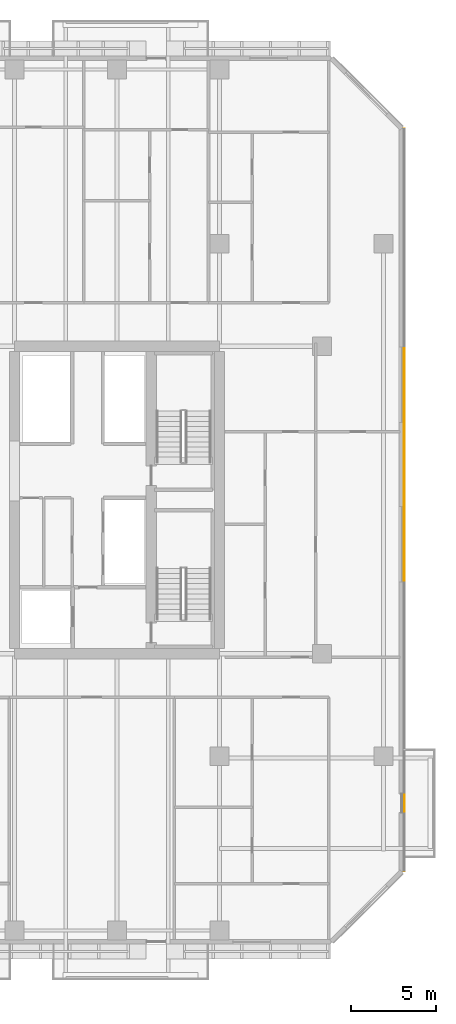
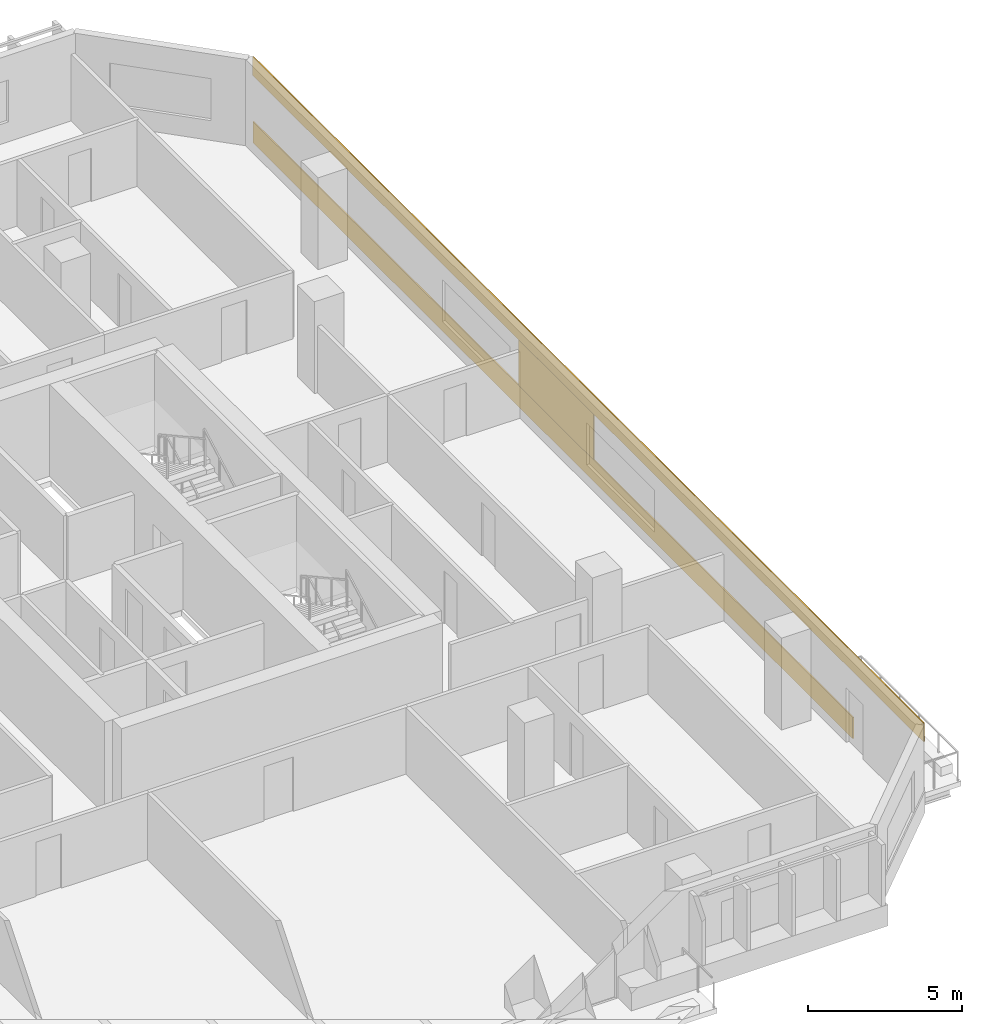
# One storey, part 25 of 26: 3 coverings.
"""IFC4 building model written with IfcOpenShell, lengths in metres."""

from ifc_helpers import new_model, si_unit, direction, frame, origin, origin_2d, place, context, subcontext, project, spatial, rectangle, extrude, material, layer, layer_set, type_object, element, save


model = new_model("IFC4")

# Units and contexts
model_context = context("Model", 3, precision=1e-05, world=origin(), true_north=direction((0.0, 1.0)))
body_context = subcontext(model_context, "Body", "Model", "MODEL_VIEW")
ifc_project = project(units=[si_unit("LENGTHUNIT", "METRE"), si_unit("AREAUNIT", "SQUARE_METRE"), si_unit("VOLUMEUNIT", "CUBIC_METRE"), si_unit("PLANEANGLEUNIT", "RADIAN"), si_unit("MASSUNIT", "GRAM", prefix="KILO")], contexts=[model_context])

# Site, building, storey
site_placement = place(None, origin())
site = spatial("IfcSite", under=ifc_project, at=site_placement, CompositionType="ELEMENT")
building_placement = place(site_placement, origin())
building = spatial("IfcBuilding", under=site, at=building_placement, Name="Tanjung Sevakor Pilgrim Tower", CompositionType="ELEMENT")
storey_placement = place(building_placement, frame((0.0, 0.0, 66.0)))
storey = spatial("IfcBuildingStorey", under=building, at=storey_placement, Name="L18", CompositionType="ELEMENT", Elevation=66.0)

# Coverings
ifc_material = material(Name="Reconstructed Limestone Cladding", Category="masonry")
ifc_layer = layer(ifc_material, 0.044921875)
ifc_layer_set = layer_set([ifc_layer], Name="COV-CLAD-LIMESTONE")
covering_type = type_object("IfcCoveringType", Name="COV-CLAD-LIMESTONE", PredefinedType="CLADDING", material=ifc_layer_set)
covering_1_placement = place(storey_placement, frame((100.822509765625, 35.881103515625, 0.009765625), z_axis=(0.0, 0.0, 1.0), x_axis=(0.0, 1.0, 0.0)))
element("IfcCovering", 1, at=covering_1_placement, inside=storey, type_object=covering_type, Name="L18 Warm Limestone Sill Spandrel EW-L18-MAIN-7-2", PredefinedType="CLADDING", context=body_context, shape_type="SweptSolid", body=[
    extrude(rectangle(XDim=38.842041015625, YDim=0.044921875, at=origin_2d()), origin(), (0.0, 0.0, 1.0), 0.840087890625),
])
covering_2_placement = place(storey_placement, frame((100.822509765625, 33.60009765625, 2.66015625), z_axis=(0.0, 0.0, 1.0), x_axis=(0.0, 1.0, 0.0)))
element("IfcCovering", 2, at=covering_2_placement, inside=storey, type_object=covering_type, Name="L18 Warm Limestone Cornice Spandrel EW-L18-MAIN-7", PredefinedType="CLADDING", context=body_context, shape_type="SweptSolid", body=[
    extrude(rectangle(XDim=43.444091796875, YDim=0.044921875, at=origin_2d()), origin(), (0.0, 0.0, 1.0), 0.739990234375),
])
covering_3_placement = place(storey_placement, frame((100.822509765625, 35.679931640625, 0.849853515625), z_axis=(0.0, 0.0, 1.0), x_axis=(0.0, 1.0, 0.0)))
element("IfcCovering", 3, at=covering_3_placement, inside=storey, type_object=covering_type, Name="L18 Warm Limestone Pier Panel EW-L18-MAIN-7-2", PredefinedType="CLADDING", context=body_context, shape_type="SweptSolid", body=[
    extrude(rectangle(XDim=4.840087890625, YDim=0.044921875, at=origin_2d()), origin(), (0.0, 0.0, 1.0), 1.81005859375),
])

save(model, "model.ifc")
